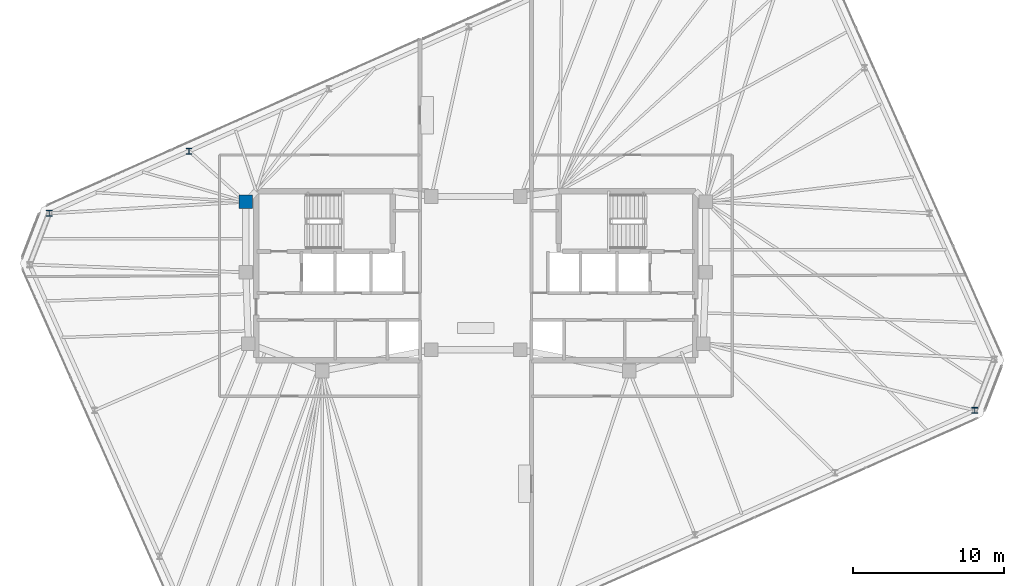
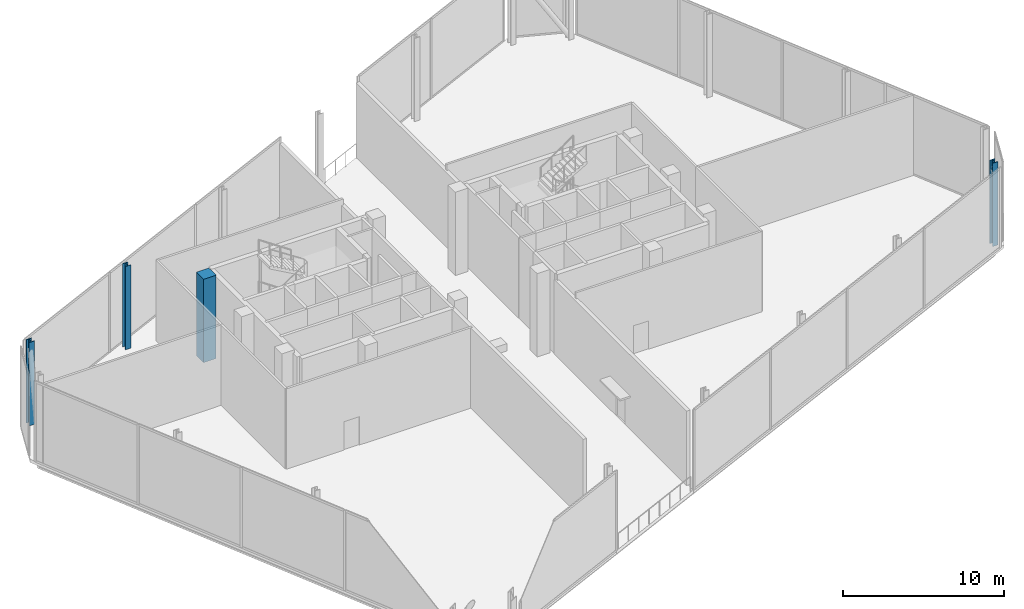
# One storey, part 2 of 16: 4 columns.
"""IFC4 building model written with IfcOpenShell, lengths in metres."""

from ifc_helpers import new_model, si_unit, direction, frame, origin, origin_2d, place, context, subcontext, project, spatial, rectangle, i_section, extrude, material, material_profile, profile_set, type_object, element, save


model = new_model("IFC4")

# Units and contexts
model_context = context("Model", 3, precision=1e-05, world=origin(), true_north=direction((0.0, 1.0)))
body_context = subcontext(model_context, "Body", "Model", "MODEL_VIEW")
ifc_project = project(units=[si_unit("LENGTHUNIT", "METRE"), si_unit("AREAUNIT", "SQUARE_METRE"), si_unit("VOLUMEUNIT", "CUBIC_METRE"), si_unit("PLANEANGLEUNIT", "RADIAN"), si_unit("MASSUNIT", "GRAM", prefix="KILO")], contexts=[model_context])

# Site, building, storey
site_placement = place(None, origin())
site = spatial("IfcSite", under=ifc_project, at=site_placement, CompositionType="ELEMENT")
building_placement = place(site_placement, origin())
building = spatial("IfcBuilding", under=site, at=building_placement, Name="Menara Jurai Vektor", CompositionType="ELEMENT")
storey_placement = place(building_placement, frame((0.0, 0.0, 275.60009765625)))
storey = spatial("IfcBuildingStorey", under=building, at=storey_placement, Name="L74", CompositionType="ELEMENT", Elevation=275.60009765625)

# Columns
ifc_material_1 = material(Name="Steel S460", Category="steel")
ifc_material_profile_1 = material_profile(ifc_material_1, i_section(OverallWidth=0.376953125, OverallDepth=0.39892578125, WebThickness=0.02490234375, FlangeThickness=0.0400390625, FilletRadius=0.014892578125, at=origin_2d()), Name="HD 360x314")
ifc_profile_set_1 = profile_set([ifc_material_profile_1], Name="Steel S460")
column_type_1 = type_object("IfcColumnType", Name="STR-COL-PORTAL", PredefinedType="COLUMN", material=ifc_profile_set_1)
for number, where, z_axis, x_axis, name in (
    (1, (33.088134765625, -8.932861328125, 0.0), (0.0, 0.0, 1.0), (1.0, 0.0, 0.0), "Exoskeleton Column BLK5-S6 L74"),
    (2, (-19.0146484375, 8.26171875, 0.0), (0.0, 0.0, 1.0), (1.0, 0.0, 0.0), "Exoskeleton Column BLK5-N5 L74"),
    (3, (-28.2880859375, 4.1328125, 0.0), (0.0, 0.0, 1.0), (1.0, 0.0, 0.0), "Exoskeleton Column BLK5-N6 L74"),
):
    element("IfcColumn", number, at=place(storey_placement, frame(where, z_axis=z_axis, x_axis=x_axis)), inside=storey, type_object=column_type_1, Name=name, PredefinedType="COLUMN", context=body_context, shape_type="SweptSolid", body=[
        extrude(i_section(OverallWidth=0.376953125, OverallDepth=0.39892578125, WebThickness=0.02490234375, FlangeThickness=0.0400390625, FilletRadius=0.014892578125, at=origin_2d()), origin(), (0.0, 0.0, 1.0), 6.2998046875),
    ])
ifc_material_2 = material(Name="Concrete C50/60", Category="concrete")
ifc_material_profile_2 = material_profile(ifc_material_2, rectangle(XDim=0.89990234375, YDim=0.89990234375, at=origin_2d()), Name="RC 900x900")
ifc_profile_set_2 = profile_set([ifc_material_profile_2], Name="Concrete C50/60")
column_type_2 = type_object("IfcColumnType", Name="STR-COL-RC900", PredefinedType="COLUMN", material=ifc_profile_set_2)
column_placement = place(storey_placement, frame((-15.25, 4.89990234375, 0.0), z_axis=(0.0, 0.0, 1.0), x_axis=(1.0, 0.0, 0.0)))
element("IfcColumn", 4, at=column_placement, inside=storey, type_object=column_type_2, Name="Core Spine Column CW-NW L74", PredefinedType="COLUMN", context=body_context, shape_type="SweptSolid", body=[
    extrude(rectangle(XDim=0.89990234375, YDim=0.89990234375, at=origin_2d()), origin(), (0.0, 0.0, 1.0), 6.2998046875),
])

save(model, "model.ifc")
